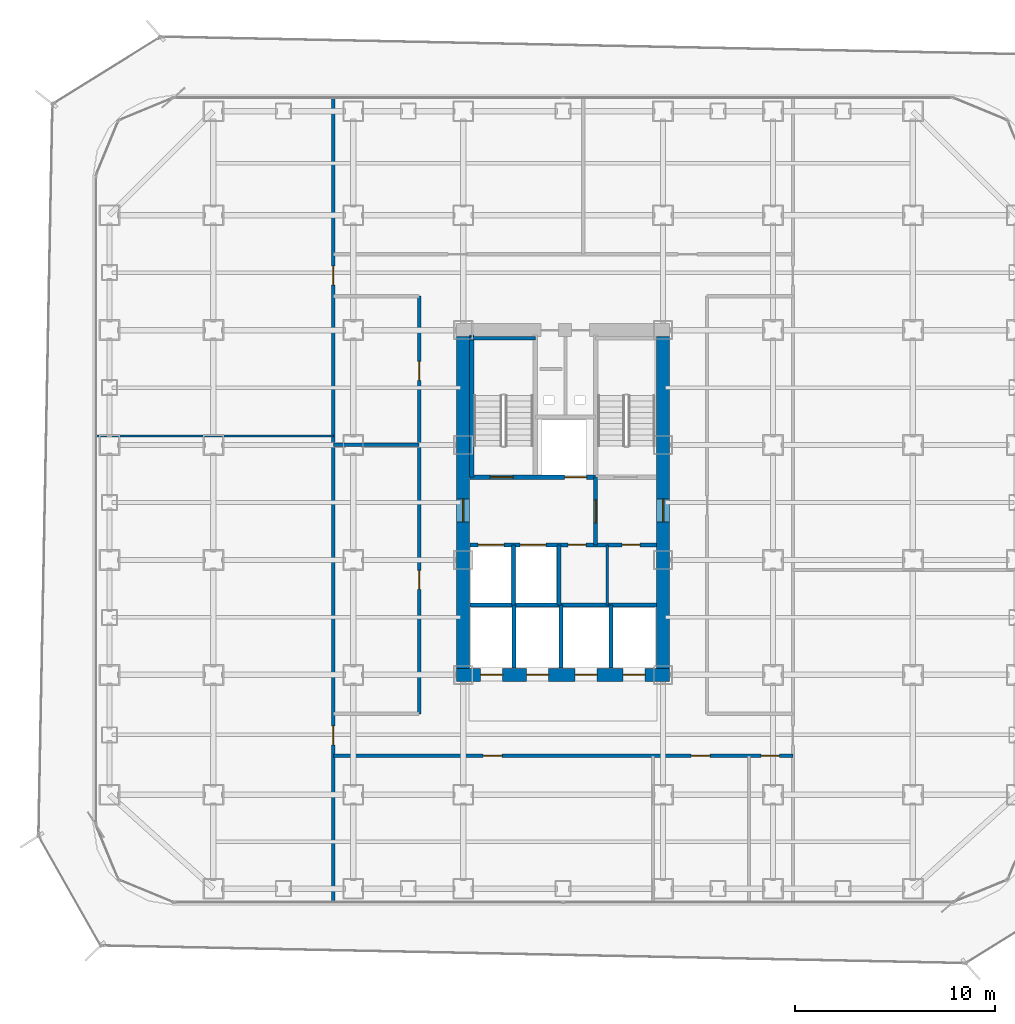
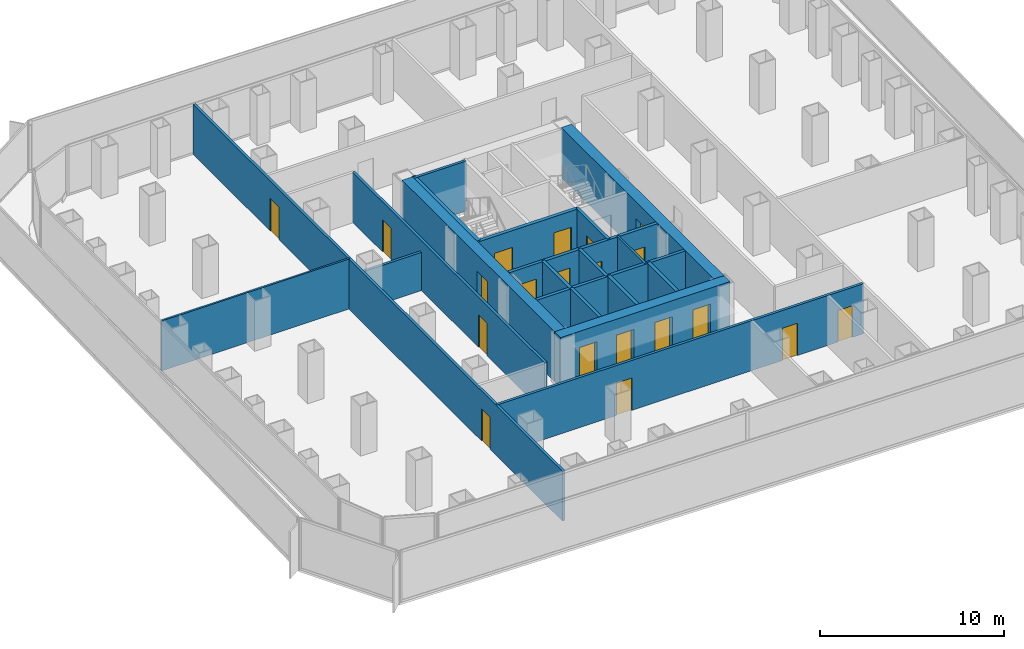
# One storey, part 17 of 21: 20 doors, 20 walls, 20 openings.
"""IFC4 building model written with IfcOpenShell, lengths in metres."""

from ifc_helpers import new_model, si_unit, direction, frame, frame_2d, origin, place, context, subcontext, project, spatial, rectangle, extrude, material, layer, layer_set, type_object, element, fill, save


model = new_model("IFC4")

# Units and contexts
model_context = context("Model", 3, precision=1e-05, world=origin(), true_north=direction((0.0, 1.0)))
body_context = subcontext(model_context, "Body", "Model", "MODEL_VIEW")
ifc_project = project(units=[si_unit("LENGTHUNIT", "METRE"), si_unit("AREAUNIT", "SQUARE_METRE"), si_unit("VOLUMEUNIT", "CUBIC_METRE"), si_unit("PLANEANGLEUNIT", "RADIAN"), si_unit("MASSUNIT", "GRAM", prefix="KILO")], contexts=[model_context])

# Site, building, storey
site_placement = place(None, origin())
site = spatial("IfcSite", under=ifc_project, at=site_placement, CompositionType="ELEMENT")
building_placement = place(site_placement, origin())
building = spatial("IfcBuilding", under=site, at=building_placement, Name="Kolveth Station Tower", CompositionType="ELEMENT")
storey_placement = place(building_placement, frame((0.0, 0.0, 62.10009765625)))
storey = spatial("IfcBuildingStorey", under=building, at=storey_placement, Name="L16", CompositionType="ELEMENT", Elevation=62.10009765625)

# Wall, openings, doors
ifc_material_1 = material(Name="Concrete C60/75", Category="concrete")
ifc_layer_1 = layer(ifc_material_1, 0.64990234375)
ifc_layer_set_1 = layer_set([ifc_layer_1], Name="Concrete C60/75")
wall_type_1 = type_object("IfcWallType", Name="Wall_CW-650", PredefinedType="SHEAR", material=ifc_layer_set_1)
wall_1_placement = place(storey_placement, frame((18.175048828125, 11.5, 0.0), z_axis=(0.0, 0.0, 1.0), x_axis=(1.0, 0.0, 0.0)))
wall_1 = element("IfcWall", 1, at=wall_1_placement, inside=storey, type_object=wall_type_1, Name="L16 Core RC Shear Wall S", PredefinedType="SHEAR", context=body_context, shape_type="SweptSolid", body=[
    extrude(rectangle(XDim=10.64990234375, YDim=0.64990234375, at=frame_2d((5.324951171875, 0.0))), origin(), (0.0, 0.0, 1.0), 3.31982421875),
])
opening_1_placement = place(wall_1_placement, frame((1.195068359375, 0.0, 0.0)))
opening_1 = element("IfcOpeningElement", 2, at=opening_1_placement, cuts=wall_1, Name="Opening LD1", PredefinedType="OPENING", context=body_context, shape_type="SweptSolid", body=[
    extrude(rectangle(XDim=1.10009765625, YDim=2.25, at=frame_2d((0.550048828125, 1.125))), frame((0.0, 0.3349609375, 0.0), z_axis=(0.0, -1.0, 0.0), x_axis=(1.0, 0.0, 0.0)), (0.0, 0.0, 1.0), 0.669921875),
])
opening_2_placement = place(wall_1_placement, frame((3.4951171875, 0.0, 0.0)))
opening_2 = element("IfcOpeningElement", 3, at=opening_2_placement, cuts=wall_1, Name="Opening LD1", PredefinedType="OPENING", context=body_context, shape_type="SweptSolid", body=[
    extrude(rectangle(XDim=1.10009765625, YDim=2.25, at=frame_2d((0.550048828125, 1.125))), frame((0.0, 0.3349609375, 0.0), z_axis=(0.0, -1.0, 0.0), x_axis=(1.0, 0.0, 0.0)), (0.0, 0.0, 1.0), 0.669921875),
])
opening_3_placement = place(wall_1_placement, frame((5.925048828125, 0.0, 0.0)))
opening_3 = element("IfcOpeningElement", 4, at=opening_3_placement, cuts=wall_1, Name="Opening LD1", PredefinedType="OPENING", context=body_context, shape_type="SweptSolid", body=[
    extrude(rectangle(XDim=1.10009765625, YDim=2.25, at=frame_2d((0.550048828125, 1.125))), frame((0.0, 0.3349609375, 0.0), z_axis=(0.0, -1.0, 0.0), x_axis=(1.0, 0.0, 0.0)), (0.0, 0.0, 1.0), 0.669921875),
])
opening_4_placement = place(wall_1_placement, frame((8.324951171875, 0.0, 0.0)))
opening_4 = element("IfcOpeningElement", 5, at=opening_4_placement, cuts=wall_1, Name="Opening LD1", PredefinedType="OPENING", context=body_context, shape_type="SweptSolid", body=[
    extrude(rectangle(XDim=1.10009765625, YDim=2.25, at=frame_2d((0.550048828125, 1.125))), frame((0.0, 0.3349609375, 0.0), z_axis=(0.0, -1.0, 0.0), x_axis=(1.0, 0.0, 0.0)), (0.0, 0.0, 1.0), 0.669921875),
])
ifc_material_2 = material(Name="Brushed stainless steel sliding landing doors", Category="steel")
door_type_1 = type_object("IfcDoorType", Name="Door_LD1", OperationType="NOTDEFINED", PredefinedType="DOOR", material=ifc_material_2)
door_1_placement = place(opening_1_placement, frame((1.10009765625, 0.0, 0.0), z_axis=(0.0, 0.0, 1.0), x_axis=(-1.0, 0.0, 0.0)))
door_1 = element("IfcDoor", 6, at=door_1_placement, inside=storey, type_object=door_type_1, Name="L16 Lift PL1 Landing Door", OperationType="DOUBLE_DOOR_SLIDING", OverallHeight=2.25, OverallWidth=1.10009765625, PredefinedType="DOOR", context=body_context, shape_type="SweptSolid", body=[
    extrude(rectangle(XDim=1.10009765625, YDim=2.25, at=frame_2d((0.550048828125, 1.125))), frame((0.0, 0.02490234375, 0.0), z_axis=(0.0, -1.0, 0.0), x_axis=(1.0, 0.0, 0.0)), (0.0, 0.0, 1.0), 0.050048828125),
])
fill(opening_1, door_1)
door_2_placement = place(opening_2_placement, frame((1.10009765625, 0.0, 0.0), z_axis=(0.0, 0.0, 1.0), x_axis=(-1.0, 0.0, 0.0)))
door_2 = element("IfcDoor", 7, at=door_2_placement, inside=storey, type_object=door_type_1, Name="L16 Lift PL2 Landing Door", OperationType="DOUBLE_DOOR_SLIDING", OverallHeight=2.25, OverallWidth=1.10009765625, PredefinedType="DOOR", context=body_context, shape_type="SweptSolid", body=[
    extrude(rectangle(XDim=1.10009765625, YDim=2.25, at=frame_2d((0.550048828125, 1.125))), frame((0.0, 0.02490234375, 0.0), z_axis=(0.0, -1.0, 0.0), x_axis=(1.0, 0.0, 0.0)), (0.0, 0.0, 1.0), 0.050048828125),
])
fill(opening_2, door_2)
door_3_placement = place(opening_3_placement, frame((1.10009765625, 0.0, 0.0), z_axis=(0.0, 0.0, 1.0), x_axis=(-1.0, 0.0, 0.0)))
door_3 = element("IfcDoor", 8, at=door_3_placement, inside=storey, type_object=door_type_1, Name="L16 Lift PM1 Landing Door", OperationType="DOUBLE_DOOR_SLIDING", OverallHeight=2.25, OverallWidth=1.10009765625, PredefinedType="DOOR", context=body_context, shape_type="SweptSolid", body=[
    extrude(rectangle(XDim=1.10009765625, YDim=2.25, at=frame_2d((0.550048828125, 1.125))), frame((0.0, 0.02490234375, 0.0), z_axis=(0.0, -1.0, 0.0), x_axis=(1.0, 0.0, 0.0)), (0.0, 0.0, 1.0), 0.050048828125),
])
fill(opening_3, door_3)
door_4_placement = place(opening_4_placement, frame((1.10009765625, 0.0, 0.0), z_axis=(0.0, 0.0, 1.0), x_axis=(-1.0, 0.0, 0.0)))
door_4 = element("IfcDoor", 9, at=door_4_placement, inside=storey, type_object=door_type_1, Name="L16 Lift PH1 Landing Door", OperationType="DOUBLE_DOOR_SLIDING", OverallHeight=2.25, OverallWidth=1.10009765625, PredefinedType="DOOR", context=body_context, shape_type="SweptSolid", body=[
    extrude(rectangle(XDim=1.10009765625, YDim=2.25, at=frame_2d((0.550048828125, 1.125))), frame((0.0, 0.02490234375, 0.0), z_axis=(0.0, -1.0, 0.0), x_axis=(1.0, 0.0, 0.0)), (0.0, 0.0, 1.0), 0.050048828125),
])
fill(opening_4, door_4)

# Wall, opening, door
wall_2_placement = place(storey_placement, frame((18.5, 11.824951171875, 0.0), z_axis=(0.0, 0.0, 1.0), x_axis=(0.0, 1.0, 0.0)))
wall_2 = element("IfcWall", 10, at=wall_2_placement, inside=storey, type_object=wall_type_1, Name="L16 Core RC Shear Wall W", PredefinedType="SHEAR", context=body_context, shape_type="SweptSolid", body=[
    extrude(rectangle(XDim=16.60009765625, YDim=0.64990234375, at=frame_2d((8.300048828125, 0.0))), origin(), (0.0, 0.0, 1.0), 3.31982421875),
])
opening_5_placement = place(wall_2_placement, frame((7.324951171875, 0.0, 0.0)))
opening_5 = element("IfcOpeningElement", 11, at=opening_5_placement, cuts=wall_2, Name="Opening FD1", PredefinedType="OPENING", context=body_context, shape_type="SweptSolid", body=[
    extrude(rectangle(XDim=1.14990234375, YDim=2.199951171875, at=frame_2d((0.574951171875, 1.10009765625))), frame((0.0, 0.3349609375, 0.0), z_axis=(0.0, -1.0, 0.0), x_axis=(1.0, 0.0, 0.0)), (0.0, 0.0, 1.0), 0.669921875),
])
ifc_material_3 = material(Name="Fire-rated Steel S355 leaf and frame", Category="steel")
door_type_2 = type_object("IfcDoorType", Name="Door_FD1", OperationType="NOTDEFINED", PredefinedType="DOOR", material=ifc_material_3)
door_5_placement = place(opening_5_placement, frame((1.14990234375, 0.0, 0.0), z_axis=(0.0, 0.0, 1.0), x_axis=(-1.0, 0.0, 0.0)))
door_5 = element("IfcDoor", 12, at=door_5_placement, inside=storey, type_object=door_type_2, Name="L16 West Corridor to Firefighting Lobby Door", OperationType="SINGLE_SWING_LEFT", OverallHeight=2.199951171875, OverallWidth=1.14990234375, PredefinedType="DOOR", context=body_context, shape_type="SweptSolid", body=[
    extrude(rectangle(XDim=1.14990234375, YDim=2.199951171875, at=frame_2d((0.574951171875, 1.10009765625))), frame((0.0, 0.02490234375, 0.0), z_axis=(0.0, -1.0, 0.0), x_axis=(1.0, 0.0, 0.0)), (0.0, 0.0, 1.0), 0.050048828125),
])
fill(opening_5, door_5)

wall_3_placement = place(storey_placement, frame((28.5, 11.824951171875, 0.0), z_axis=(0.0, 0.0, 1.0), x_axis=(0.0, 1.0, 0.0)))
wall_3 = element("IfcWall", 13, at=wall_3_placement, inside=storey, type_object=wall_type_1, Name="L16 Core RC Shear Wall E", PredefinedType="SHEAR", context=body_context, shape_type="SweptSolid", body=[
    extrude(rectangle(XDim=16.60009765625, YDim=0.64990234375, at=frame_2d((8.300048828125, 0.0))), origin(), (0.0, 0.0, 1.0), 3.31982421875),
])
opening_6_placement = place(wall_3_placement, frame((7.324951171875, 0.0, 0.0)))
opening_6 = element("IfcOpeningElement", 14, at=opening_6_placement, cuts=wall_3, Name="Opening FD1", PredefinedType="OPENING", context=body_context, shape_type="SweptSolid", body=[
    extrude(rectangle(XDim=1.14990234375, YDim=2.199951171875, at=frame_2d((0.574951171875, 1.10009765625))), frame((0.0, 0.3349609375, 0.0), z_axis=(0.0, -1.0, 0.0), x_axis=(1.0, 0.0, 0.0)), (0.0, 0.0, 1.0), 0.669921875),
])
door_6_placement = place(opening_6_placement, origin())
door_6 = element("IfcDoor", 15, at=door_6_placement, inside=storey, type_object=door_type_2, Name="L16 East Corridor to Stair Lobby Door", OperationType="SINGLE_SWING_RIGHT", OverallHeight=2.199951171875, OverallWidth=1.14990234375, PredefinedType="DOOR", context=body_context, shape_type="SweptSolid", body=[
    extrude(rectangle(XDim=1.14990234375, YDim=2.199951171875, at=frame_2d((0.574951171875, 1.10009765625))), frame((0.0, 0.02490234375, 0.0), z_axis=(0.0, -1.0, 0.0), x_axis=(1.0, 0.0, 0.0)), (0.0, 0.0, 1.0), 0.050048828125),
])
fill(opening_6, door_6)

# Walls
ifc_material_4 = material(Name="Framed gypsum partition")
ifc_layer_2 = layer(ifc_material_4, 0.114990234375)
ifc_layer_set_2 = layer_set([ifc_layer_2], Name="Framed gypsum partition")
wall_type_2 = type_object("IfcWallType", Name="Wall_IW-115", PredefinedType="PARTITIONING", material=ifc_layer_set_2)
wall_4_placement = place(storey_placement, frame((0.159912109375, 23.449951171875, 0.0), z_axis=(0.0, 0.0, 1.0), x_axis=(1.0, 0.0, 0.0)))
element("IfcWall", 16, at=wall_4_placement, inside=storey, type_object=wall_type_2, Name="L16 Partition Wall WL-L16-OWM", PredefinedType="PARTITIONING", context=body_context, shape_type="SweptSolid", body=[
    extrude(rectangle(XDim=11.840087890625, YDim=0.114990234375, at=frame_2d((5.919921875, 0.0))), origin(), (0.0, 0.0, 1.0), 3.31982421875),
])
ifc_material_5 = material(Name="Moisture-resistant gypsum partition")
ifc_layer_3 = layer(ifc_material_5, 0.135009765625)
ifc_layer_set_3 = layer_set([ifc_layer_3], Name="Moisture-resistant gypsum partition")
wall_type_3 = type_object("IfcWallType", Name="Wall_IW-135", PredefinedType="PARTITIONING", material=ifc_layer_set_3)
wall_5_placement = place(storey_placement, frame((25.699951171875, 15.0, 0.0), z_axis=(0.0, 0.0, 1.0), x_axis=(0.0, 1.0, 0.0)))
element("IfcWall", 17, at=wall_5_placement, inside=storey, type_object=wall_type_3, Name="L16 Partition Wall WL-L16-CB-V1", PredefinedType="PARTITIONING", context=body_context, shape_type="SweptSolid", body=[
    extrude(rectangle(XDim=3.0, YDim=0.135009765625, at=frame_2d((1.5, 0.0))), origin(), (0.0, 0.0, 1.0), 3.31982421875),
])
ifc_material_6 = material(Name="Acoustic double-stud gypsum partition")
ifc_layer_4 = layer(ifc_material_6, 0.1650390625)
ifc_layer_set_4 = layer_set([ifc_layer_4], Name="Acoustic double-stud gypsum partition")
wall_type_4 = type_object("IfcWallType", Name="Wall_IW-165", PredefinedType="PARTITIONING", material=ifc_layer_set_4)
wall_6_placement = place(storey_placement, frame((18.8349609375, 28.3349609375, 0.0), z_axis=(0.0, 0.0, 1.0), x_axis=(1.0, 0.0, 0.0)))
element("IfcWall", 18, at=wall_6_placement, inside=storey, type_object=wall_type_4, Name="L16 Stair Shaft Wall WL-L16-ST1-N", PredefinedType="PARTITIONING", context=body_context, shape_type="SweptSolid", body=[
    extrude(rectangle(XDim=3.275146484375, YDim=0.1650390625, at=frame_2d((1.6376953125, 0.0))), origin(), (0.0, 0.0, 1.0), 3.31982421875),
])

# Wall, openings, doors
wall_7_placement = place(storey_placement, frame((12.0, 7.449951171875, 0.0), z_axis=(0.0, 0.0, 1.0), x_axis=(1.0, 0.0, 0.0)))
wall_7 = element("IfcWall", 19, at=wall_7_placement, inside=storey, type_object=wall_type_4, Name="L16 Partition Wall WL-L16-OS", PredefinedType="PARTITIONING", context=body_context, shape_type="SweptSolid", body=[
    extrude(rectangle(XDim=23.0, YDim=0.1650390625, at=frame_2d((11.5, 0.0))), origin(), (0.0, 0.0, 1.0), 3.31982421875),
])
opening_7_placement = place(wall_7_placement, frame((7.5, 0.0, 0.0)))
opening_7 = element("IfcOpeningElement", 20, at=opening_7_placement, cuts=wall_7, Name="Opening ID1", PredefinedType="OPENING", context=body_context, shape_type="SweptSolid", body=[
    extrude(rectangle(XDim=0.949951171875, YDim=2.14990234375, at=frame_2d((0.47509765625, 1.074951171875))), frame((0.0, 0.092529296875, 0.0), z_axis=(0.0, -1.0, 0.0), x_axis=(1.0, 0.0, 0.0)), (0.0, 0.0, 1.0), 0.18505859375),
])
opening_8_placement = place(wall_7_placement, frame((17.89990234375, 0.0, 0.0)))
opening_8 = element("IfcOpeningElement", 21, at=opening_8_placement, cuts=wall_7, Name="Opening ID1", PredefinedType="OPENING", context=body_context, shape_type="SweptSolid", body=[
    extrude(rectangle(XDim=0.949951171875, YDim=2.14990234375, at=frame_2d((0.47509765625, 1.074951171875))), frame((0.0, 0.092529296875, 0.0), z_axis=(0.0, -1.0, 0.0), x_axis=(1.0, 0.0, 0.0)), (0.0, 0.0, 1.0), 0.18505859375),
])
opening_9_placement = place(wall_7_placement, frame((21.39990234375, 0.0, 0.0)))
opening_9 = element("IfcOpeningElement", 22, at=opening_9_placement, cuts=wall_7, Name="Opening ID2", PredefinedType="OPENING", context=body_context, shape_type="SweptSolid", body=[
    extrude(rectangle(XDim=0.919921875, YDim=2.10009765625, at=frame_2d((0.4599609375, 1.050048828125))), frame((0.0, 0.092529296875, 0.0), z_axis=(0.0, -1.0, 0.0), x_axis=(1.0, 0.0, 0.0)), (0.0, 0.0, 1.0), 0.18505859375),
])
ifc_material_7 = material(Name="Acoustic hardwood leaf and aluminium frame", Category="wood")
door_type_3 = type_object("IfcDoorType", Name="Door_ID1", OperationType="NOTDEFINED", PredefinedType="DOOR", material=ifc_material_7)
door_7_placement = place(opening_7_placement, frame((0.949951171875, 0.0, 0.0), z_axis=(0.0, 0.0, 1.0), x_axis=(-1.0, 0.0, 0.0)))
door_7 = element("IfcDoor", 23, at=door_7_placement, inside=storey, type_object=door_type_3, Name="L16 Engineering Co-Working Hall Door", OperationType="SINGLE_SWING_LEFT", OverallHeight=2.14990234375, OverallWidth=0.949951171875, PredefinedType="DOOR", context=body_context, shape_type="SweptSolid", body=[
    extrude(rectangle(XDim=0.949951171875, YDim=2.14990234375, at=frame_2d((0.47509765625, 1.074951171875))), frame((0.0, 0.02490234375, 0.0), z_axis=(0.0, -1.0, 0.0), x_axis=(1.0, 0.0, 0.0)), (0.0, 0.0, 1.0), 0.050048828125),
])
fill(opening_7, door_7)
door_8_placement = place(opening_8_placement, frame((0.949951171875, 0.0, 0.0), z_axis=(0.0, 0.0, 1.0), x_axis=(-1.0, 0.0, 0.0)))
door_8 = element("IfcDoor", 24, at=door_8_placement, inside=storey, type_object=door_type_3, Name="L16 Wellness First Aid Room Door", OperationType="SINGLE_SWING_LEFT", OverallHeight=2.14990234375, OverallWidth=0.949951171875, PredefinedType="DOOR", context=body_context, shape_type="SweptSolid", body=[
    extrude(rectangle(XDim=0.949951171875, YDim=2.14990234375, at=frame_2d((0.47509765625, 1.074951171875))), frame((0.0, 0.02490234375, 0.0), z_axis=(0.0, -1.0, 0.0), x_axis=(1.0, 0.0, 0.0)), (0.0, 0.0, 1.0), 0.050048828125),
])
fill(opening_8, door_8)
ifc_material_8 = material(Name="Moisture-resistant hardwood leaf", Category="wood")
door_type_4 = type_object("IfcDoorType", Name="Door_ID2", OperationType="NOTDEFINED", PredefinedType="DOOR", material=ifc_material_8)
door_9_placement = place(opening_9_placement, frame((0.919921875, 0.0, 0.0), z_axis=(0.0, 0.0, 1.0), x_axis=(-1.0, 0.0, 0.0)))
door_9 = element("IfcDoor", 25, at=door_9_placement, inside=storey, type_object=door_type_4, Name="L16 Accessible WC Door", OperationType="SINGLE_SWING_LEFT", OverallHeight=2.10009765625, OverallWidth=0.919921875, PredefinedType="DOOR", context=body_context, shape_type="SweptSolid", body=[
    extrude(rectangle(XDim=0.919921875, YDim=2.10009765625, at=frame_2d((0.4599609375, 1.050048828125))), frame((0.0, 0.02490234375, 0.0), z_axis=(0.0, -1.0, 0.0), x_axis=(1.0, 0.0, 0.0)), (0.0, 0.0, 1.0), 0.050048828125),
])
fill(opening_9, door_9)

wall_8_placement = place(storey_placement, frame((16.300048828125, 9.550048828125, 0.0), z_axis=(0.0, 0.0, 1.0), x_axis=(0.0, 1.0, 0.0)))
wall_8 = element("IfcWall", 26, at=wall_8_placement, inside=storey, type_object=wall_type_4, Name="L16 Partition Wall WL-L16-OCW", PredefinedType="PARTITIONING", context=body_context, shape_type="SweptSolid", body=[
    extrude(rectangle(XDim=20.89990234375, YDim=0.1650390625, at=frame_2d((10.449951171875, 0.0))), origin(), (0.0, 0.0, 1.0), 3.31982421875),
])
opening_10_placement = place(wall_8_placement, frame((6.23095703125, 0.0, 0.0)))
opening_10 = element("IfcOpeningElement", 27, at=opening_10_placement, cuts=wall_8, Name="Opening ID1", PredefinedType="OPENING", context=body_context, shape_type="SweptSolid", body=[
    extrude(rectangle(XDim=0.949951171875, YDim=2.14990234375, at=frame_2d((0.47509765625, 1.074951171875))), frame((0.0, 0.092529296875, 0.0), z_axis=(0.0, -1.0, 0.0), x_axis=(1.0, 0.0, 0.0)), (0.0, 0.0, 1.0), 0.18505859375),
])
opening_11_placement = place(wall_8_placement, frame((16.680908203125, 0.0, 0.0)))
opening_11 = element("IfcOpeningElement", 28, at=opening_11_placement, cuts=wall_8, Name="Opening ID1", PredefinedType="OPENING", context=body_context, shape_type="SweptSolid", body=[
    extrude(rectangle(XDim=0.949951171875, YDim=2.14990234375, at=frame_2d((0.47509765625, 1.074951171875))), frame((0.0, 0.092529296875, 0.0), z_axis=(0.0, -1.0, 0.0), x_axis=(1.0, 0.0, 0.0)), (0.0, 0.0, 1.0), 0.18505859375),
])
door_10_placement = place(opening_10_placement, frame((0.949951171875, 0.0, 0.0), z_axis=(0.0, 0.0, 1.0), x_axis=(-1.0, 0.0, 0.0)))
door_10 = element("IfcDoor", 29, at=door_10_placement, inside=storey, type_object=door_type_3, Name="L16 Internal Meeting Room W1 Door", OperationType="SINGLE_SWING_RIGHT", OverallHeight=2.14990234375, OverallWidth=0.949951171875, PredefinedType="DOOR", context=body_context, shape_type="SweptSolid", body=[
    extrude(rectangle(XDim=0.949951171875, YDim=2.14990234375, at=frame_2d((0.47509765625, 1.074951171875))), frame((0.0, 0.02490234375, 0.0), z_axis=(0.0, -1.0, 0.0), x_axis=(1.0, 0.0, 0.0)), (0.0, 0.0, 1.0), 0.050048828125),
])
fill(opening_10, door_10)
door_11_placement = place(opening_11_placement, frame((0.949951171875, 0.0, 0.0), z_axis=(0.0, 0.0, 1.0), x_axis=(-1.0, 0.0, 0.0)))
door_11 = element("IfcDoor", 30, at=door_11_placement, inside=storey, type_object=door_type_3, Name="L16 Print and Archive Room Door", OperationType="SINGLE_SWING_LEFT", OverallHeight=2.14990234375, OverallWidth=0.949951171875, PredefinedType="DOOR", context=body_context, shape_type="SweptSolid", body=[
    extrude(rectangle(XDim=0.949951171875, YDim=2.14990234375, at=frame_2d((0.47509765625, 1.074951171875))), frame((0.0, 0.02490234375, 0.0), z_axis=(0.0, -1.0, 0.0), x_axis=(1.0, 0.0, 0.0)), (0.0, 0.0, 1.0), 0.050048828125),
])
fill(opening_11, door_11)

wall_9_placement = place(storey_placement, frame((12.0, 0.159912109375, 0.0), z_axis=(0.0, 0.0, 1.0), x_axis=(0.0, 1.0, 0.0)))
wall_9 = element("IfcWall", 31, at=wall_9_placement, inside=storey, type_object=wall_type_4, Name="L16 Partition Wall WL-L16-OWEND", PredefinedType="PARTITIONING", context=body_context, shape_type="SweptSolid", body=[
    extrude(rectangle(XDim=40.18017578125, YDim=0.1650390625, at=frame_2d((20.090087890625, 0.0))), origin(), (0.0, 0.0, 1.0), 3.31982421875),
])
opening_12_placement = place(wall_9_placement, frame((7.840087890625, 0.0, 0.0)))
opening_12 = element("IfcOpeningElement", 32, at=opening_12_placement, cuts=wall_9, Name="Opening ID1", PredefinedType="OPENING", context=body_context, shape_type="SweptSolid", body=[
    extrude(rectangle(XDim=0.949951171875, YDim=2.14990234375, at=frame_2d((0.47509765625, 1.074951171875))), frame((0.0, 0.092529296875, 0.0), z_axis=(0.0, -1.0, 0.0), x_axis=(1.0, 0.0, 0.0)), (0.0, 0.0, 1.0), 0.18505859375),
])
opening_13_placement = place(wall_9_placement, frame((30.840087890625, 0.0, 0.0)))
opening_13 = element("IfcOpeningElement", 33, at=opening_13_placement, cuts=wall_9, Name="Opening ID1", PredefinedType="OPENING", context=body_context, shape_type="SweptSolid", body=[
    extrude(rectangle(XDim=0.949951171875, YDim=2.14990234375, at=frame_2d((0.47509765625, 1.074951171875))), frame((0.0, 0.092529296875, 0.0), z_axis=(0.0, -1.0, 0.0), x_axis=(1.0, 0.0, 0.0)), (0.0, 0.0, 1.0), 0.18505859375),
])
door_12_placement = place(opening_12_placement, frame((0.949951171875, 0.0, 0.0), z_axis=(0.0, 0.0, 1.0), x_axis=(-1.0, 0.0, 0.0)))
door_12 = element("IfcDoor", 34, at=door_12_placement, inside=storey, type_object=door_type_3, Name="L16 West-South Wing Door", OperationType="SINGLE_SWING_RIGHT", OverallHeight=2.14990234375, OverallWidth=0.949951171875, PredefinedType="DOOR", context=body_context, shape_type="SweptSolid", body=[
    extrude(rectangle(XDim=0.949951171875, YDim=2.14990234375, at=frame_2d((0.47509765625, 1.074951171875))), frame((0.0, 0.02490234375, 0.0), z_axis=(0.0, -1.0, 0.0), x_axis=(1.0, 0.0, 0.0)), (0.0, 0.0, 1.0), 0.050048828125),
])
fill(opening_12, door_12)
door_13_placement = place(opening_13_placement, frame((0.949951171875, 0.0, 0.0), z_axis=(0.0, 0.0, 1.0), x_axis=(-1.0, 0.0, 0.0)))
door_13 = element("IfcDoor", 35, at=door_13_placement, inside=storey, type_object=door_type_3, Name="L16 West-North Wing Door", OperationType="SINGLE_SWING_LEFT", OverallHeight=2.14990234375, OverallWidth=0.949951171875, PredefinedType="DOOR", context=body_context, shape_type="SweptSolid", body=[
    extrude(rectangle(XDim=0.949951171875, YDim=2.14990234375, at=frame_2d((0.47509765625, 1.074951171875))), frame((0.0, 0.02490234375, 0.0), z_axis=(0.0, -1.0, 0.0), x_axis=(1.0, 0.0, 0.0)), (0.0, 0.0, 1.0), 0.050048828125),
])
fill(opening_13, door_13)

# Wall
wall_10_placement = place(storey_placement, frame((12.0, 23.011962890625, 0.0), z_axis=(0.0, 0.0, 1.0), x_axis=(1.0, 0.0, 0.0)))
element("IfcWall", 36, at=wall_10_placement, inside=storey, type_object=wall_type_4, Name="L16 Partition Wall WL-L16-OIW-P1", PredefinedType="PARTITIONING", context=body_context, shape_type="SweptSolid", body=[
    extrude(rectangle(XDim=4.300048828125, YDim=0.1650390625, at=frame_2d((2.14990234375, 0.0))), origin(), (0.0, 0.0, 1.0), 2.538818359375),
])

# Wall, opening, door
ifc_material_9 = material(Name="Acoustic fire-rated gypsum blockwork", Category="masonry")
ifc_layer_5 = layer(ifc_material_9, 0.199951171875)
ifc_layer_set_5 = layer_set([ifc_layer_5], Name="Acoustic fire-rated gypsum blockwork")
wall_type_5 = type_object("IfcWallType", Name="Wall_IW-200", PredefinedType="PARTITIONING", material=ifc_layer_set_5)
wall_11_placement = place(storey_placement, frame((25.1298828125, 18.0, 0.0), z_axis=(0.0, 0.0, 1.0), x_axis=(0.0, 1.0, 0.0)))
wall_11 = element("IfcWall", 37, at=wall_11_placement, inside=storey, type_object=wall_type_5, Name="L16 Partition Wall WL-L16-FFL-E", PredefinedType="PARTITIONING", context=body_context, shape_type="SweptSolid", body=[
    extrude(rectangle(XDim=3.389892578125, YDim=0.199951171875, at=frame_2d((1.69482421875, 0.0))), origin(), (0.0, 0.0, 1.0), 3.31982421875),
])
opening_14_placement = place(wall_11_placement, frame((1.10009765625, 0.0, 0.0)))
opening_14 = element("IfcOpeningElement", 38, at=opening_14_placement, cuts=wall_11, Name="Opening FD1", PredefinedType="OPENING", context=body_context, shape_type="SweptSolid", body=[
    extrude(rectangle(XDim=1.14990234375, YDim=2.199951171875, at=frame_2d((0.574951171875, 1.10009765625))), frame((0.0, 0.10986328125, 0.0), z_axis=(0.0, -1.0, 0.0), x_axis=(1.0, 0.0, 0.0)), (0.0, 0.0, 1.0), 0.219970703125),
])
door_14_placement = place(opening_14_placement, origin())
door_14 = element("IfcDoor", 39, at=door_14_placement, inside=storey, type_object=door_type_2, Name="L16 Firefighting to Stair Lobby Door", OperationType="SINGLE_SWING_RIGHT", OverallHeight=2.199951171875, OverallWidth=1.14990234375, PredefinedType="DOOR", context=body_context, shape_type="SweptSolid", body=[
    extrude(rectangle(XDim=1.14990234375, YDim=2.199951171875, at=frame_2d((0.574951171875, 1.10009765625))), frame((0.0, 0.02490234375, 0.0), z_axis=(0.0, -1.0, 0.0), x_axis=(1.0, 0.0, 0.0)), (0.0, 0.0, 1.0), 0.050048828125),
])
fill(opening_14, door_14)

# Wall, openings, doors
wall_12_placement = place(storey_placement, frame((18.8349609375, 18.0, 0.0), z_axis=(0.0, 0.0, 1.0), x_axis=(1.0, 0.0, 0.0)))
wall_12 = element("IfcWall", 40, at=wall_12_placement, inside=storey, type_object=wall_type_5, Name="L16 Partition Wall WL-L16-FFL-S", PredefinedType="PARTITIONING", context=body_context, shape_type="SweptSolid", body=[
    extrude(rectangle(XDim=9.330078125, YDim=0.199951171875, at=frame_2d((4.6650390625, 0.0))), origin(), (0.0, 0.0, 1.0), 3.31982421875),
])
opening_15_placement = place(wall_12_placement, frame((0.4150390625, 0.0, 0.0)))
opening_15 = element("IfcOpeningElement", 41, at=opening_15_placement, cuts=wall_12, Name="Opening LD2", PredefinedType="OPENING", context=body_context, shape_type="SweptSolid", body=[
    extrude(rectangle(XDim=1.300048828125, YDim=2.300048828125, at=frame_2d((0.64990234375, 1.14990234375))), frame((0.0, 0.10986328125, 0.0), z_axis=(0.0, -1.0, 0.0), x_axis=(1.0, 0.0, 0.0)), (0.0, 0.0, 1.0), 0.219970703125),
])
opening_16_placement = place(wall_12_placement, frame((2.514892578125, 0.0, 0.0)))
opening_16 = element("IfcOpeningElement", 42, at=opening_16_placement, cuts=wall_12, Name="Opening LD2", PredefinedType="OPENING", context=body_context, shape_type="SweptSolid", body=[
    extrude(rectangle(XDim=1.300048828125, YDim=2.300048828125, at=frame_2d((0.64990234375, 1.14990234375))), frame((0.0, 0.10986328125, 0.0), z_axis=(0.0, -1.0, 0.0), x_axis=(1.0, 0.0, 0.0)), (0.0, 0.0, 1.0), 0.219970703125),
])
opening_17_placement = place(wall_12_placement, frame((4.9150390625, 0.0, 0.0)))
opening_17 = element("IfcOpeningElement", 43, at=opening_17_placement, cuts=wall_12, Name="Opening RD1", PredefinedType="OPENING", context=body_context, shape_type="SweptSolid", body=[
    extrude(rectangle(XDim=0.89990234375, YDim=2.050048828125, at=frame_2d((0.449951171875, 1.02490234375))), frame((0.0, 0.10986328125, 0.0), z_axis=(0.0, -1.0, 0.0), x_axis=(1.0, 0.0, 0.0)), (0.0, 0.0, 1.0), 0.219970703125),
])
opening_18_placement = place(wall_12_placement, frame((7.614990234375, 0.0, 0.0)))
opening_18 = element("IfcOpeningElement", 44, at=opening_18_placement, cuts=wall_12, Name="Opening RD1", PredefinedType="OPENING", context=body_context, shape_type="SweptSolid", body=[
    extrude(rectangle(XDim=0.89990234375, YDim=2.050048828125, at=frame_2d((0.449951171875, 1.02490234375))), frame((0.0, 0.10986328125, 0.0), z_axis=(0.0, -1.0, 0.0), x_axis=(1.0, 0.0, 0.0)), (0.0, 0.0, 1.0), 0.219970703125),
])
ifc_material_10 = material(Name="Firefighting stainless steel sliding landing doors", Category="steel")
door_type_5 = type_object("IfcDoorType", Name="Door_LD2", OperationType="NOTDEFINED", PredefinedType="DOOR", material=ifc_material_10)
door_15_placement = place(opening_15_placement, origin())
door_15 = element("IfcDoor", 45, at=door_15_placement, inside=storey, type_object=door_type_5, Name="L16 Firefighting Lift FF1 Landing Door", OperationType="DOUBLE_DOOR_SLIDING", OverallHeight=2.300048828125, OverallWidth=1.300048828125, PredefinedType="DOOR", context=body_context, shape_type="SweptSolid", body=[
    extrude(rectangle(XDim=1.300048828125, YDim=2.300048828125, at=frame_2d((0.64990234375, 1.14990234375))), frame((0.0, 0.02490234375, 0.0), z_axis=(0.0, -1.0, 0.0), x_axis=(1.0, 0.0, 0.0)), (0.0, 0.0, 1.0), 0.050048828125),
])
fill(opening_15, door_15)
door_16_placement = place(opening_16_placement, origin())
door_16 = element("IfcDoor", 46, at=door_16_placement, inside=storey, type_object=door_type_5, Name="L16 Firefighting Lift FF2 Landing Door", OperationType="DOUBLE_DOOR_SLIDING", OverallHeight=2.300048828125, OverallWidth=1.300048828125, PredefinedType="DOOR", context=body_context, shape_type="SweptSolid", body=[
    extrude(rectangle(XDim=1.300048828125, YDim=2.300048828125, at=frame_2d((0.64990234375, 1.14990234375))), frame((0.0, 0.02490234375, 0.0), z_axis=(0.0, -1.0, 0.0), x_axis=(1.0, 0.0, 0.0)), (0.0, 0.0, 1.0), 0.050048828125),
])
fill(opening_16, door_16)
ifc_material_11 = material(Name="Fire-rated Steel S355 riser access leaf", Category="steel")
door_type_6 = type_object("IfcDoorType", Name="Door_RD1", OperationType="NOTDEFINED", PredefinedType="DOOR", material=ifc_material_11)
door_17_placement = place(opening_17_placement, frame((0.89990234375, 0.0, 0.0), z_axis=(0.0, 0.0, 1.0), x_axis=(-1.0, 0.0, 0.0)))
door_17 = element("IfcDoor", 47, at=door_17_placement, inside=storey, type_object=door_type_6, Name="L16 Core Accessible WC Door", OperationType="SINGLE_SWING_LEFT", OverallHeight=2.050048828125, OverallWidth=0.89990234375, PredefinedType="DOOR", context=body_context, shape_type="SweptSolid", body=[
    extrude(rectangle(XDim=0.89990234375, YDim=2.050048828125, at=frame_2d((0.449951171875, 1.02490234375))), frame((0.0, 0.02490234375, 0.0), z_axis=(0.0, -1.0, 0.0), x_axis=(1.0, 0.0, 0.0)), (0.0, 0.0, 1.0), 0.050048828125),
])
fill(opening_17, door_17)
door_18_placement = place(opening_18_placement, frame((0.89990234375, 0.0, 0.0), z_axis=(0.0, 0.0, 1.0), x_axis=(-1.0, 0.0, 0.0)))
door_18 = element("IfcDoor", 48, at=door_18_placement, inside=storey, type_object=door_type_6, Name="L16 Core Cleaner Store Door", OperationType="SINGLE_SWING_RIGHT", OverallHeight=2.050048828125, OverallWidth=0.89990234375, PredefinedType="DOOR", context=body_context, shape_type="SweptSolid", body=[
    extrude(rectangle(XDim=0.89990234375, YDim=2.050048828125, at=frame_2d((0.449951171875, 1.02490234375))), frame((0.0, 0.02490234375, 0.0), z_axis=(0.0, -1.0, 0.0), x_axis=(1.0, 0.0, 0.0)), (0.0, 0.0, 1.0), 0.050048828125),
])
fill(opening_18, door_18)

# Walls
for number, where, z_axis, x_axis, name in (
    (49, (21.02001953125, 15.0, 0.0), (0.0, 0.0, 1.0), (0.0, 1.0, 0.0), "L16 Partition Wall WL-L16-FF12"),
    (50, (23.300048828125, 15.0, 0.0), (0.0, 0.0, 1.0), (0.0, 1.0, 0.0), "L16 Partition Wall WL-L16-FF2E"),
):
    element("IfcWall", number, at=place(storey_placement, frame(where, z_axis=z_axis, x_axis=x_axis)), inside=storey, type_object=wall_type_5, Name=name, PredefinedType="PARTITIONING", context=body_context, shape_type="SweptSolid", body=[
        extrude(rectangle(XDim=3.0, YDim=0.199951171875, at=frame_2d((1.5, 0.0))), origin(), (0.0, 0.0, 1.0), 3.31982421875),
    ])
wall_13_placement = place(storey_placement, frame((18.8349609375, 15.0, 0.0), z_axis=(0.0, 0.0, 1.0), x_axis=(1.0, 0.0, 0.0)))
element("IfcWall", 51, at=wall_13_placement, inside=storey, type_object=wall_type_5, Name="L16 Partition Wall WL-L16-BOH-S", PredefinedType="PARTITIONING", context=body_context, shape_type="SweptSolid", body=[
    extrude(rectangle(XDim=9.330078125, YDim=0.199951171875, at=frame_2d((4.6650390625, 0.0))), origin(), (0.0, 0.0, 1.0), 3.31982421875),
])
for number, where, z_axis, x_axis, name in (
    (52, (21.050048828125, 11.8349609375, 0.0), (0.0, 0.0, 1.0), (0.0, 1.0, 0.0), "L16 Partition Wall WL-L16-PL12"),
    (53, (23.39990234375, 11.8349609375, 0.0), (0.0, 0.0, 1.0), (0.0, 1.0, 0.0), "L16 Partition Wall WL-L16-PL2E"),
    (54, (25.89990234375, 11.8349609375, 0.0), (0.0, 0.0, 1.0), (0.0, 1.0, 0.0), "L16 Partition Wall WL-L16-PMPH"),
):
    element("IfcWall", number, at=place(storey_placement, frame(where, z_axis=z_axis, x_axis=x_axis)), inside=storey, type_object=wall_type_5, Name=name, PredefinedType="PARTITIONING", context=body_context, shape_type="SweptSolid", body=[
        extrude(rectangle(XDim=3.1650390625, YDim=0.199951171875, at=frame_2d((1.58251953125, 0.0))), origin(), (0.0, 0.0, 1.0), 3.31982421875),
    ])
ifc_material_12 = material(Name="Concrete C40/50", Category="concrete")
ifc_layer_6 = layer(ifc_material_12, 0.219970703125)
ifc_layer_set_6 = layer_set([ifc_layer_6], Name="Concrete C40/50")
wall_type_6 = type_object("IfcWallType", Name="Wall_IW-220", PredefinedType="SOLIDWALL", material=ifc_layer_set_6)
wall_14_placement = place(storey_placement, frame((18.929931640625, 21.389892578125, 0.0), z_axis=(0.0, 0.0, 1.0), x_axis=(0.0, 1.0, 0.0)))
element("IfcWall", 55, at=wall_14_placement, inside=storey, type_object=wall_type_6, Name="L16 Stair Shaft Wall WL-L16-ST1-W", PredefinedType="SOLIDWALL", context=body_context, shape_type="SweptSolid", body=[
    extrude(rectangle(XDim=7.110107421875, YDim=0.219970703125, at=frame_2d((3.55517578125, 0.0))), origin(), (0.0, 0.0, 1.0), 3.31982421875),
])

# Wall, openings, doors
wall_15_placement = place(storey_placement, frame((18.8349609375, 21.389892578125, 0.0), z_axis=(0.0, 0.0, 1.0), x_axis=(1.0, 0.0, 0.0)))
wall_15 = element("IfcWall", 56, at=wall_15_placement, inside=storey, type_object=wall_type_6, Name="L16 Stair Shaft Wall WL-L16-ST1-S", PredefinedType="SOLIDWALL", context=body_context, shape_type="SweptSolid", body=[
    extrude(rectangle(XDim=6.294921875, YDim=0.219970703125, at=frame_2d((3.1474609375, 0.0))), origin(), (0.0, 0.0, 1.0), 3.31982421875),
])
opening_19_placement = place(wall_15_placement, frame((1.014892578125, 0.0, 0.0)))
opening_19 = element("IfcOpeningElement", 57, at=opening_19_placement, cuts=wall_15, Name="Opening FD1", PredefinedType="OPENING", context=body_context, shape_type="SweptSolid", body=[
    extrude(rectangle(XDim=1.14990234375, YDim=2.199951171875, at=frame_2d((0.574951171875, 1.10009765625))), frame((0.0, 0.119873046875, 0.0), z_axis=(0.0, -1.0, 0.0), x_axis=(1.0, 0.0, 0.0)), (0.0, 0.0, 1.0), 0.239990234375),
])
opening_20_placement = place(wall_15_placement, frame((4.7451171875, 0.0, 0.0)))
opening_20 = element("IfcOpeningElement", 58, at=opening_20_placement, cuts=wall_15, Name="Opening LD1", PredefinedType="OPENING", context=body_context, shape_type="SweptSolid", body=[
    extrude(rectangle(XDim=1.10009765625, YDim=2.25, at=frame_2d((0.550048828125, 1.125))), frame((0.0, 0.119873046875, 0.0), z_axis=(0.0, -1.0, 0.0), x_axis=(1.0, 0.0, 0.0)), (0.0, 0.0, 1.0), 0.239990234375),
])
door_19_placement = place(opening_19_placement, frame((1.14990234375, 0.0, 0.0), z_axis=(0.0, 0.0, 1.0), x_axis=(-1.0, 0.0, 0.0)))
door_19 = element("IfcDoor", 59, at=door_19_placement, inside=storey, type_object=door_type_2, Name="L16 Stair ST1 Fire Door", OperationType="SINGLE_SWING_LEFT", OverallHeight=2.199951171875, OverallWidth=1.14990234375, PredefinedType="DOOR", context=body_context, shape_type="SweptSolid", body=[
    extrude(rectangle(XDim=1.14990234375, YDim=2.199951171875, at=frame_2d((0.574951171875, 1.10009765625))), frame((0.0, 0.02490234375, 0.0), z_axis=(0.0, -1.0, 0.0), x_axis=(1.0, 0.0, 0.0)), (0.0, 0.0, 1.0), 0.050048828125),
])
fill(opening_19, door_19)
door_20_placement = place(opening_20_placement, frame((1.10009765625, 0.0, 0.0), z_axis=(0.0, 0.0, 1.0), x_axis=(-1.0, 0.0, 0.0)))
door_20 = element("IfcDoor", 60, at=door_20_placement, inside=storey, type_object=door_type_1, Name="L16 Service Lift SV1 Landing Door", OperationType="DOUBLE_DOOR_SLIDING", OverallHeight=2.25, OverallWidth=1.10009765625, PredefinedType="DOOR", context=body_context, shape_type="SweptSolid", body=[
    extrude(rectangle(XDim=1.10009765625, YDim=2.25, at=frame_2d((0.550048828125, 1.125))), frame((0.0, 0.02490234375, 0.0), z_axis=(0.0, -1.0, 0.0), x_axis=(1.0, 0.0, 0.0)), (0.0, 0.0, 1.0), 0.050048828125),
])
fill(opening_20, door_20)

save(model, "model.ifc")
